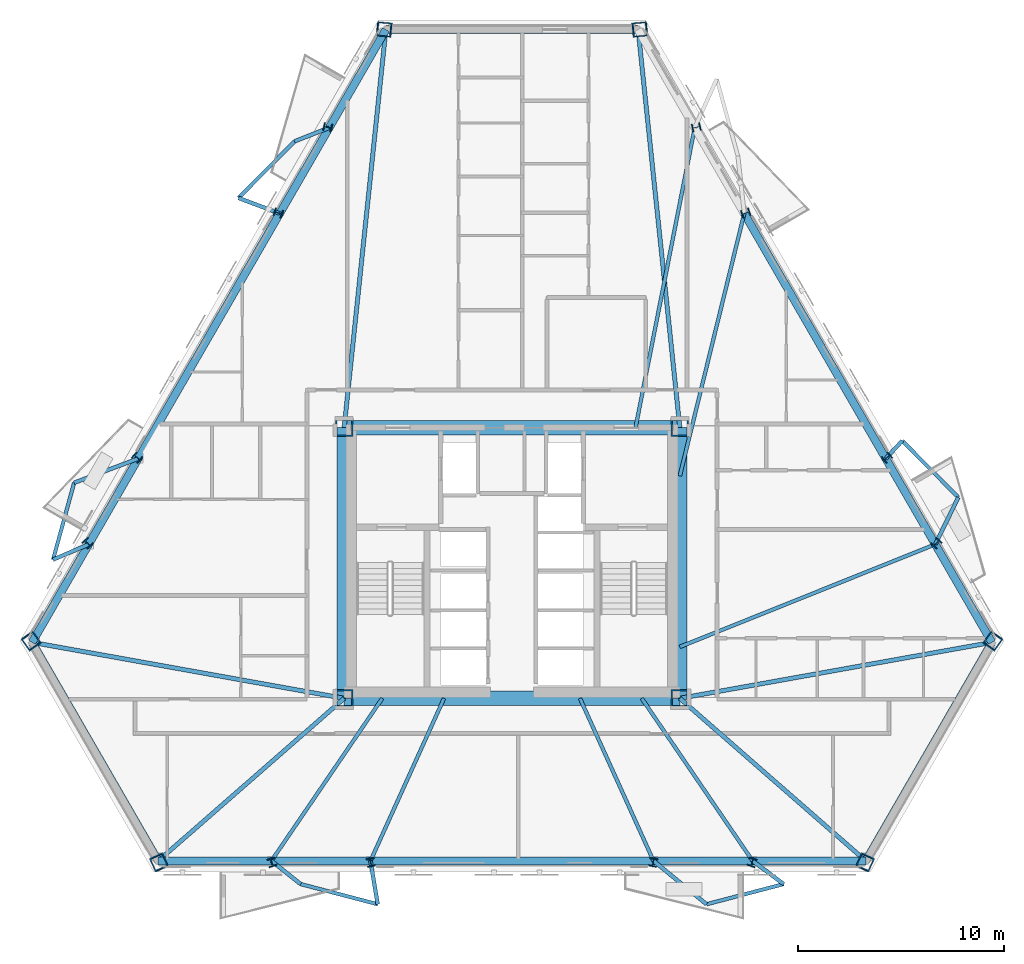
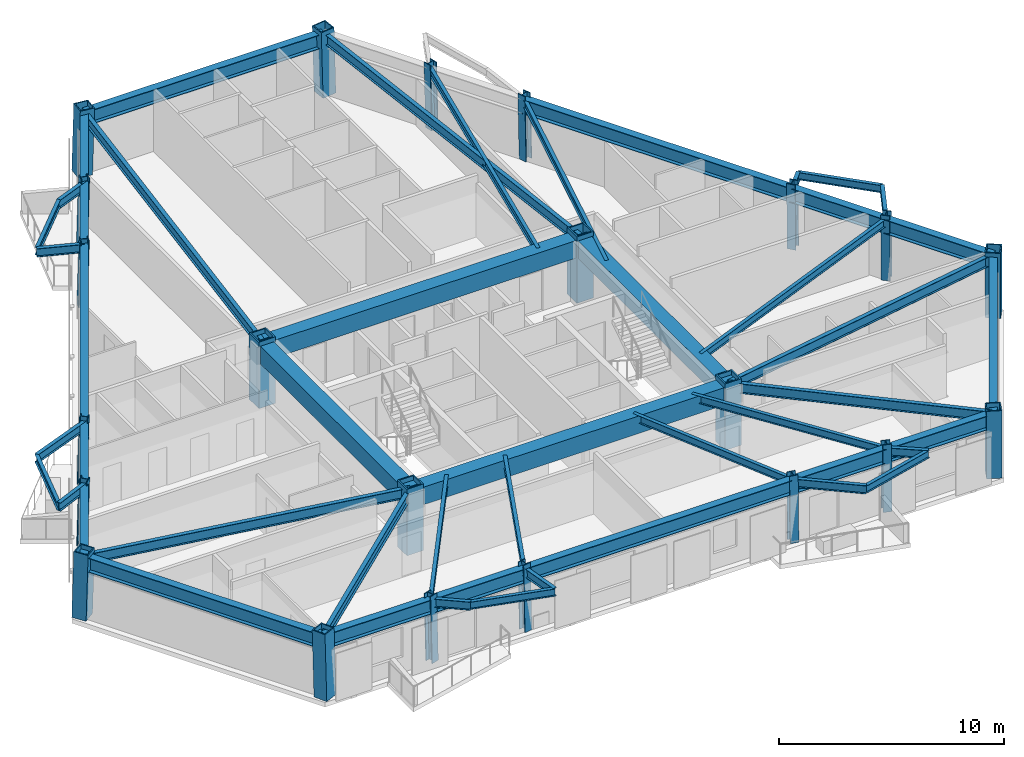
# One storey, part 1 of 11: 48 beams, 22 columns.
"""IFC4 building model written with IfcOpenShell, lengths in metres."""

from ifc_helpers import new_model, si_unit, direction, frame, origin, origin_2d, place, context, subcontext, project, spatial, rectangle, hollow_rectangle, i_section, extrude, material, material_profile, profile_set, type_object, element, save


model = new_model("IFC4")

# Units and contexts
model_context = context("Model", 3, precision=1e-05, world=origin(), true_north=direction((0.0, 1.0)))
body_context = subcontext(model_context, "Body", "Model", "MODEL_VIEW")
ifc_project = project(units=[si_unit("LENGTHUNIT", "METRE"), si_unit("AREAUNIT", "SQUARE_METRE"), si_unit("VOLUMEUNIT", "CUBIC_METRE"), si_unit("PLANEANGLEUNIT", "RADIAN"), si_unit("MASSUNIT", "GRAM", prefix="KILO")], contexts=[model_context])

# Site, building, storey
site_placement = place(None, origin())
site = spatial("IfcSite", under=ifc_project, at=site_placement, CompositionType="ELEMENT")
building_placement = place(site_placement, origin())
building = spatial("IfcBuilding", under=site, at=building_placement, Name="Oramaril Tower", CompositionType="ELEMENT")
storey_placement = place(building_placement, frame((0.0, 0.0, 89.699951171875)))
storey = spatial("IfcBuildingStorey", under=building, at=storey_placement, Name="L23", CompositionType="ELEMENT", Elevation=89.699951171875)

# Columns
ifc_material_1 = material(Name="Steel ASTM A572 Gr 50", Category="steel")
ifc_material_profile_1 = material_profile(ifc_material_1, hollow_rectangle(XDim=0.85009765625, YDim=0.85009765625, WallThickness=0.070068359375, at=origin_2d()), Name="BOX850X850X70")
ifc_profile_set_1 = profile_set([ifc_material_profile_1], Name="Steel ASTM A572 Gr 50")
column_type_1 = type_object("IfcColumnType", Name="CT-CC3", PredefinedType="COLUMN", material=ifc_profile_set_1)
for number, where, z_axis, x_axis, name in (
    (1, (29.35009765625, 11.0, 0.0), (0.0, 0.0, 1.0), (1.0, 0.0, 0.0), "L23 Core Column CC-1"),
    (2, (45.64990234375, 11.0, 0.0), (0.0, 0.0, 1.0), (1.0, 0.0, 0.0), "L23 Core Column CC-2"),
    (3, (45.64990234375, 24.14990234375, 0.0), (0.0, 0.0, 1.0), (1.0, 0.0, 0.0), "L23 Core Column CC-3"),
    (4, (29.35009765625, 24.14990234375, 0.0), (0.0, 0.0, 1.0), (1.0, 0.0, 0.0), "L23 Core Column CC-4"),
):
    element("IfcColumn", number, at=place(storey_placement, frame(where, z_axis=z_axis, x_axis=x_axis)), inside=storey, type_object=column_type_1, Name=name, PredefinedType="COLUMN", context=body_context, shape_type="SweptSolid", body=[
        extrude(hollow_rectangle(XDim=0.85009765625, YDim=0.85009765625, WallThickness=0.070068359375, at=origin_2d()), origin(), (0.0, 0.0, 1.0), 3.60009765625),
    ])
ifc_material_2 = material(Name="Steel ASTM A572 Gr 50", Category="steel")
ifc_material_profile_2 = material_profile(ifc_material_2, hollow_rectangle(XDim=0.699951171875, YDim=0.699951171875, WallThickness=0.054931640625, at=origin_2d()), Name="BOX700X700X55")
ifc_profile_set_2 = profile_set([ifc_material_profile_2], Name="Steel ASTM A572 Gr 50")
column_type_2 = type_object("IfcColumnType", Name="CT-TC4", PredefinedType="COLUMN", material=ifc_profile_set_2)
for number, where, z_axis, x_axis, name in (
    (5, (14.14013671875, 13.79833984375, 0.004638671875), (0.015903742687, -0.022292425646, 0.999624989047), (0.814068729903, 0.580768545114, 0.0), "L23 Tube Column TC-01"),
    (6, (20.36279296875, 3.0205078125, 0.004638671875), (-0.011350100721, 0.024943035717, 0.999624439569), (-0.910196530925, -0.414176623064, 0.0), "L23 Tube Column TC-02"),
    (7, (54.63720703125, 3.0205078125, 0.004638671875), (0.011350100721, 0.024943035717, 0.999624439569), (-0.910196530925, 0.414176623064, 0.0), "L23 Tube Column TC-03"),
    (8, (60.85986328125, 13.79833984375, 0.004638671875), (-0.015903742687, -0.022292425646, 0.999624989047), (0.814068729903, -0.580768545114, 0.0), "L23 Tube Column TC-04"),
):
    element("IfcColumn", number, at=place(storey_placement, frame(where, z_axis=z_axis, x_axis=x_axis)), inside=storey, type_object=column_type_2, Name=name, PredefinedType="COLUMN", context=body_context, shape_type="SweptSolid", body=[
        extrude(hollow_rectangle(XDim=0.699951171875, YDim=0.699951171875, WallThickness=0.054931640625, at=origin_2d()), origin(), (0.0, 0.0, 1.0), 3.59228515625),
    ])
for number, where, z_axis, x_axis, name in (
    (9, (43.722412109375, 43.48095703125, 0.004638671875), (-0.027185941193, -0.002582664413, 0.99962705768), (0.094574192526, -0.995517816068, 0.0), "L23 Tube Column TC-05"),
    (10, (31.277587890625, 43.48095703125, 0.004638671875), (0.027185941193, -0.002582664413, 0.99962705768), (0.094574192526, 0.995517816068, 0.0), "L23 Tube Column TC-06"),
):
    element("IfcColumn", number, at=place(storey_placement, frame(where, z_axis=z_axis, x_axis=x_axis)), inside=storey, type_object=column_type_2, Name=name, PredefinedType="COLUMN", context=body_context, shape_type="SweptSolid", body=[
        extrude(hollow_rectangle(XDim=0.699951171875, YDim=0.699951171875, WallThickness=0.054931640625, at=origin_2d()), origin(), (0.0, 0.0, 1.0), 3.592041015625),
    ])
ifc_material_3 = material(Name="Steel ASTM A572 Gr 50", Category="steel")
ifc_material_profile_3 = material_profile(ifc_material_3, i_section(OverallWidth=0.404052734375, OverallDepth=0.406005859375, WebThickness=0.027099609375, FlangeThickness=0.043701171875, at=origin_2d()), Name="W14X233")
ifc_profile_set_3 = profile_set([ifc_material_profile_3], Name="Steel ASTM A572 Gr 50")
column_type_3 = type_object("IfcColumnType", Name="CT-TF3", PredefinedType="COLUMN", material=ifc_profile_set_3)
for number, where, z_axis, x_axis, name in (
    (11, (25.8466796875, 3.0205078125, 0.004638671875), (-0.007748239467, 0.024943893723, 0.999658825275), (-0.95498790355, -0.296644743882, 0.0), "L23 Tube Column TC-07"),
    (12, (30.64501953125, 3.0205078125, 0.004638671875), (-0.004485912372, 0.024944391526, 0.999678775368), (-0.984211365845, -0.176997139362, 0.0), "L23 Tube Column TC-08"),
    (13, (44.35498046875, 3.0205078125, 0.004638671875), (0.004485912372, 0.024944391526, 0.999678775368), (-0.984211365845, 0.176997139362, 0.0), "L23 Tube Column TC-09"),
    (14, (49.1533203125, 3.0205078125, 0.004638671875), (0.007748239467, 0.024943893723, 0.999658825275), (-0.95498790355, 0.296644743882, 0.0), "L23 Tube Column TC-10"),
    (15, (58.117919921875, 18.547607421875, 0.004638671875), (-0.017739391998, -0.0191666994, 0.999658917634), (0.733904813668, -0.679252327544, 0.0), "L23 Tube Column TC-11"),
    (16, (55.718505859375, 22.703125, 0.004638671875), (-0.019235087383, -0.016380410103, 0.999680795843), (0.648350968281, -0.761341593458, 0.0), "L23 Tube Column TC-12"),
    (17, (48.86376953125, 34.576171875, 0.004638671875), (-0.023856909685, -0.008496050458, 0.999679281063), (0.335486159291, -0.94204513529, 0.0), "L23 Tube Column TC-13"),
    (18, (46.464599609375, 38.731689453125, 0.004638671875), (-0.025419707024, -0.005709239011, 0.999660563934), (0.219139714241, -0.975693489597, 0.0), "L23 Tube Column TC-14"),
    (19, (28.535400390625, 38.731689453125, 0.004638671875), (0.025419707024, -0.005709239011, 0.999660563934), (0.219139714241, 0.975693489597, 0.0), "L23 Tube Column TC-15"),
    (20, (26.13623046875, 34.576171875, 0.004638671875), (0.023856909685, -0.008496050458, 0.999679281063), (0.335486159291, 0.94204513529, 0.0), "L23 Tube Column TC-16"),
    (21, (19.281494140625, 22.703125, 0.004638671875), (0.019235087383, -0.016380410103, 0.999680795843), (0.648350968281, 0.761341593458, 0.0), "L23 Tube Column TC-17"),
    (22, (16.882080078125, 18.547607421875, 0.004638671875), (0.017739391998, -0.0191666994, 0.999658917634), (0.733904813668, 0.679252327544, 0.0), "L23 Tube Column TC-18"),
):
    element("IfcColumn", number, at=place(storey_placement, frame(where, z_axis=z_axis, x_axis=x_axis)), inside=storey, type_object=column_type_3, Name=name, PredefinedType="COLUMN", context=body_context, shape_type="SweptSolid", body=[
        extrude(i_section(OverallWidth=0.404052734375, OverallDepth=0.406005859375, WebThickness=0.027099609375, FlangeThickness=0.043701171875, at=origin_2d()), origin(), (0.0, 0.0, 1.0), 3.592041015625),
    ])

# Beams
ifc_material_4 = material(Name="Steel ASTM A572 Gr 50", Category="steel")
ifc_material_profile_4 = material_profile(ifc_material_4, i_section(OverallWidth=0.19091796875, OverallDepth=0.45703125, WebThickness=0.009033203125, FlangeThickness=0.014404296875, at=origin_2d()), Name="W18X50")
ifc_profile_set_4 = profile_set([ifc_material_profile_4], Name="Steel ASTM A572 Gr 50")
beam_type_1 = type_object("IfcBeamType", Name="BT-BB1", PredefinedType="BEAM", material=ifc_profile_set_4)
beam_1_placement = place(storey_placement, frame((25.81884765625, 3.110107421875, 3.131591796875), z_axis=(0.782012301234, -0.623262994826, 0.0), x_axis=(0.623262994826, 0.782012301234, 0.0)))
element("IfcBeam", 23, at=beam_1_placement, inside=storey, type_object=beam_type_1, Name="L23 Balcony Column-Framed Cantilever 01.1", PredefinedType="BEAM", context=body_context, shape_type="SweptSolid", body=[
    extrude(i_section(OverallWidth=0.19091796875, OverallDepth=0.45703125, WebThickness=0.009033203125, FlangeThickness=0.014404296875, at=origin_2d()), origin(), (0.0, 0.0, 1.0), 1.81005859375),
])
beam_2_placement = place(storey_placement, frame((30.62890625, 3.110107421875, 3.131591796875), z_axis=(0.163491096982, -0.986544809529, 0.0), x_axis=(0.986544809529, 0.163491096982, 0.0)))
element("IfcBeam", 24, at=beam_2_placement, inside=storey, type_object=beam_type_1, Name="L23 Balcony Column-Framed Cantilever 01.2", PredefinedType="BEAM", context=body_context, shape_type="SweptSolid", body=[
    extrude(i_section(OverallWidth=0.19091796875, OverallDepth=0.45703125, WebThickness=0.009033203125, FlangeThickness=0.014404296875, at=origin_2d()), origin(), (0.0, 0.0, 1.0), 2.136962890625),
])
beam_3_placement = place(storey_placement, frame((44.37109375, 3.110107421875, 3.131591796875), z_axis=(0.773842904092, -0.633377580742, 0.0), x_axis=(0.633377580742, 0.773842904092, 0.0)))
element("IfcBeam", 25, at=beam_3_placement, inside=storey, type_object=beam_type_1, Name="L23 Balcony Column-Framed Cantilever 02.1", PredefinedType="BEAM", context=body_context, shape_type="SweptSolid", body=[
    extrude(i_section(OverallWidth=0.19091796875, OverallDepth=0.45703125, WebThickness=0.009033203125, FlangeThickness=0.014404296875, at=origin_2d()), origin(), (0.0, 0.0, 1.0), 3.328369140625),
])
beam_4_placement = place(storey_placement, frame((49.18115234375, 3.110107421875, 3.131591796875), z_axis=(0.801009357604, -0.598651826215, 0.0), x_axis=(0.598651826215, 0.801009357604, 0.0)))
element("IfcBeam", 26, at=beam_4_placement, inside=storey, type_object=beam_type_1, Name="L23 Balcony Column-Framed Cantilever 02.2", PredefinedType="BEAM", context=body_context, shape_type="SweptSolid", body=[
    extrude(i_section(OverallWidth=0.19091796875, OverallDepth=0.45703125, WebThickness=0.009033203125, FlangeThickness=0.014404296875, at=origin_2d()), origin(), (0.0, 0.0, 1.0), 1.884521484375),
])
beam_5_placement = place(storey_placement, frame((58.05419921875, 18.478759765625, 3.131591796875), z_axis=(0.440277298029, 0.897861849529, 0.0), x_axis=(-0.897861849529, 0.440277298029, 0.0)))
element("IfcBeam", 27, at=beam_5_placement, inside=storey, type_object=beam_type_1, Name="L23 Balcony Column-Framed Cantilever 03.1", PredefinedType="BEAM", context=body_context, shape_type="SweptSolid", body=[
    extrude(i_section(OverallWidth=0.19091796875, OverallDepth=0.45703125, WebThickness=0.009033203125, FlangeThickness=0.014404296875, at=origin_2d()), origin(), (0.0, 0.0, 1.0), 2.5390625),
])
beam_6_placement = place(storey_placement, frame((55.6494140625, 22.644287109375, 3.131591796875), z_axis=(0.679181243416, 0.733970597907, 0.0), x_axis=(-0.733970597907, 0.679181243416, 0.0)))
element("IfcBeam", 28, at=beam_6_placement, inside=storey, type_object=beam_type_1, Name="L23 Balcony Column-Framed Cantilever 03.2", PredefinedType="BEAM", context=body_context, shape_type="SweptSolid", body=[
    extrude(i_section(OverallWidth=0.19091796875, OverallDepth=0.45703125, WebThickness=0.009033203125, FlangeThickness=0.014404296875, at=origin_2d()), origin(), (0.0, 0.0, 1.0), 1.180908203125),
])
beam_7_placement = place(storey_placement, frame((28.626708984375, 38.711181640625, 3.131591796875), z_axis=(-0.930738376503, -0.365685759232, 0.0), x_axis=(0.365685759232, -0.930738376503, 0.0)))
element("IfcBeam", 29, at=beam_7_placement, inside=storey, type_object=beam_type_1, Name="L23 Balcony Column-Framed Cantilever 05.1", PredefinedType="BEAM", context=body_context, shape_type="SweptSolid", body=[
    extrude(i_section(OverallWidth=0.19091796875, OverallDepth=0.45703125, WebThickness=0.009033203125, FlangeThickness=0.014404296875, at=origin_2d()), origin(), (0.0, 0.0, 1.0), 1.809814453125),
])
beam_8_placement = place(storey_placement, frame((26.221923828125, 34.545654296875, 3.131591796875), z_axis=(-0.936169442968, 0.351549106177, 0.0), x_axis=(-0.351549106177, -0.936169442968, 0.0)))
element("IfcBeam", 30, at=beam_8_placement, inside=storey, type_object=beam_type_1, Name="L23 Balcony Column-Framed Cantilever 05.2", PredefinedType="BEAM", context=body_context, shape_type="SweptSolid", body=[
    extrude(i_section(OverallWidth=0.19091796875, OverallDepth=0.45703125, WebThickness=0.009033203125, FlangeThickness=0.014404296875, at=origin_2d()), origin(), (0.0, 0.0, 1.0), 2.136962890625),
])
beam_9_placement = place(storey_placement, frame((19.3505859375, 22.644287109375, 3.131591796875), z_axis=(-0.935458080776, -0.35343765944, 0.0), x_axis=(0.35343765944, -0.935458080776, 0.0)))
element("IfcBeam", 31, at=beam_9_placement, inside=storey, type_object=beam_type_1, Name="L23 Balcony Column-Framed Cantilever 06.1", PredefinedType="BEAM", context=body_context, shape_type="SweptSolid", body=[
    extrude(i_section(OverallWidth=0.19091796875, OverallDepth=0.45703125, WebThickness=0.009033203125, FlangeThickness=0.014404296875, at=origin_2d()), origin(), (0.0, 0.0, 1.0), 3.328125),
])
beam_10_placement = place(storey_placement, frame((16.94580078125, 18.478759765625, 3.131591796875), z_axis=(-0.918950582077, -0.394372701515, 0.0), x_axis=(0.394372701515, -0.918950582077, 0.0)))
element("IfcBeam", 32, at=beam_10_placement, inside=storey, type_object=beam_type_1, Name="L23 Balcony Column-Framed Cantilever 06.2", PredefinedType="BEAM", context=body_context, shape_type="SweptSolid", body=[
    extrude(i_section(OverallWidth=0.19091796875, OverallDepth=0.45703125, WebThickness=0.009033203125, FlangeThickness=0.014404296875, at=origin_2d()), origin(), (0.0, 0.0, 1.0), 1.884521484375),
])
ifc_material_5 = material(Name="Concrete C50/60", Category="concrete")
ifc_material_profile_5 = material_profile(ifc_material_5, rectangle(XDim=0.699951171875, YDim=0.949951171875, at=origin_2d()), Name="CB700X950")
ifc_profile_set_5 = profile_set([ifc_material_profile_5], Name="Concrete C50/60")
beam_type_2 = type_object("IfcBeamType", Name="BT-CB1", PredefinedType="BEAM", material=ifc_profile_set_5)
beam_11_placement = place(storey_placement, frame((29.35009765625, 11.0, 2.885009765625), z_axis=(1.0, 0.0, 0.0), x_axis=(0.0, 1.0, 0.0)))
element("IfcBeam", 33, at=beam_11_placement, inside=storey, type_object=beam_type_2, Name="L23 Core Header Beam CB-1", PredefinedType="BEAM", context=body_context, shape_type="SweptSolid", body=[
    extrude(rectangle(XDim=0.699951171875, YDim=0.949951171875, at=origin_2d()), origin(), (0.0, 0.0, 1.0), 16.2998046875),
])
beam_12_placement = place(storey_placement, frame((45.64990234375, 11.0, 2.885009765625), z_axis=(0.0, 1.0, 0.0), x_axis=(-1.0, 0.0, 0.0)))
element("IfcBeam", 34, at=beam_12_placement, inside=storey, type_object=beam_type_2, Name="L23 Core Header Beam CB-2", PredefinedType="BEAM", context=body_context, shape_type="SweptSolid", body=[
    extrude(rectangle(XDim=0.699951171875, YDim=0.949951171875, at=origin_2d()), origin(), (0.0, 0.0, 1.0), 13.14990234375),
])
beam_13_placement = place(storey_placement, frame((45.64990234375, 24.14990234375, 2.885009765625), z_axis=(-1.0, 0.0, 0.0), x_axis=(0.0, -1.0, 0.0)))
element("IfcBeam", 35, at=beam_13_placement, inside=storey, type_object=beam_type_2, Name="L23 Core Header Beam CB-3", PredefinedType="BEAM", context=body_context, shape_type="SweptSolid", body=[
    extrude(rectangle(XDim=0.699951171875, YDim=0.949951171875, at=origin_2d()), origin(), (0.0, 0.0, 1.0), 16.2998046875),
])
beam_14_placement = place(storey_placement, frame((29.35009765625, 24.14990234375, 2.885009765625), z_axis=(0.0, -1.0, 0.0), x_axis=(1.0, 0.0, 0.0)))
element("IfcBeam", 36, at=beam_14_placement, inside=storey, type_object=beam_type_2, Name="L23 Core Header Beam CB-4", PredefinedType="BEAM", context=body_context, shape_type="SweptSolid", body=[
    extrude(rectangle(XDim=0.699951171875, YDim=0.949951171875, at=origin_2d()), origin(), (0.0, 0.0, 1.0), 13.14990234375),
])
ifc_material_6 = material(Name="Steel ASTM A572 Gr 50", Category="steel")
ifc_material_profile_6 = material_profile(ifc_material_6, i_section(OverallWidth=0.2099609375, OverallDepth=0.535888671875, WebThickness=0.010986328125, FlangeThickness=0.017333984375, at=origin_2d()), Name="W21X68")
ifc_profile_set_6 = profile_set([ifc_material_profile_6], Name="Steel ASTM A572 Gr 50")
beam_type_3 = type_object("IfcBeamType", Name="BT-FB2", PredefinedType="BEAM", material=ifc_profile_set_6)
beam_15_placement = place(storey_placement, frame((29.35009765625, 11.0, 3.092041015625), z_axis=(-0.984287889623, 0.176571091468, 0.0), x_axis=(-0.176571091468, -0.984287889623, 0.0)))
element("IfcBeam", 37, at=beam_15_placement, inside=storey, type_object=beam_type_3, Name="L23 Radial Primary Beam RB-01", PredefinedType="BEAM", context=body_context, shape_type="SweptSolid", body=[
    extrude(i_section(OverallWidth=0.2099609375, OverallDepth=0.535888671875, WebThickness=0.010986328125, FlangeThickness=0.017333984375, at=origin_2d()), origin(), (0.0, 0.0, 1.0), 15.394775390625),
])
for number, where, z_axis, x_axis, name in (
    (38, (29.35009765625, 11.0, 3.092041015625), (-0.752976413299, -0.658047506655, 0.0), (0.658047506655, -0.752976413299, 0.0), "L23 Radial Primary Beam RB-02"),
    (39, (45.64990234375, 11.0, 3.092041015625), (0.752976413299, -0.658047506655, 0.0), (0.658047506655, 0.752976413299, 0.0), "L23 Radial Primary Beam RB-03"),
):
    element("IfcBeam", number, at=place(storey_placement, frame(where, z_axis=z_axis, x_axis=x_axis)), inside=storey, type_object=beam_type_3, Name=name, PredefinedType="BEAM", context=body_context, shape_type="SweptSolid", body=[
        extrude(i_section(OverallWidth=0.2099609375, OverallDepth=0.535888671875, WebThickness=0.010986328125, FlangeThickness=0.017333984375, at=origin_2d()), origin(), (0.0, 0.0, 1.0), 11.98974609375),
    ])
beam_16_placement = place(storey_placement, frame((45.64990234375, 11.0, 3.092041015625), z_axis=(0.984287889623, 0.176571091468, 0.0), x_axis=(-0.176571091468, 0.984287889623, 0.0)))
element("IfcBeam", 40, at=beam_16_placement, inside=storey, type_object=beam_type_3, Name="L23 Radial Primary Beam RB-04", PredefinedType="BEAM", context=body_context, shape_type="SweptSolid", body=[
    extrude(i_section(OverallWidth=0.2099609375, OverallDepth=0.535888671875, WebThickness=0.010986328125, FlangeThickness=0.017333984375, at=origin_2d()), origin(), (0.0, 0.0, 1.0), 15.394775390625),
])
for number, where, z_axis, x_axis, name in (
    (41, (45.64990234375, 24.14990234375, 3.092041015625), (-0.104240602226, 0.994552108664, 0.0), (-0.994552108664, -0.104240602226, 0.0), "L23 Radial Primary Beam RB-05"),
    (42, (29.35009765625, 24.14990234375, 3.092041015625), (0.104240602226, 0.994552108664, 0.0), (-0.994552108664, 0.104240602226, 0.0), "L23 Radial Primary Beam RB-06"),
):
    element("IfcBeam", number, at=place(storey_placement, frame(where, z_axis=z_axis, x_axis=x_axis)), inside=storey, type_object=beam_type_3, Name=name, PredefinedType="BEAM", context=body_context, shape_type="SweptSolid", body=[
        extrude(i_section(OverallWidth=0.2099609375, OverallDepth=0.535888671875, WebThickness=0.010986328125, FlangeThickness=0.017333984375, at=origin_2d()), origin(), (0.0, 0.0, 1.0), 19.427734375),
    ])
ifc_material_7 = material(Name="Steel ASTM A572 Gr 50", Category="steel")
ifc_material_profile_7 = material_profile(ifc_material_7, i_section(OverallWidth=0.177978515625, OverallDepth=0.404052734375, WebThickness=0.007568359375, FlangeThickness=0.010986328125, at=origin_2d()), Name="W16X36")
ifc_profile_set_7 = profile_set([ifc_material_profile_7], Name="Steel ASTM A572 Gr 50")
beam_type_4 = type_object("IfcBeamType", Name="BT-SB1", PredefinedType="BEAM", material=ifc_profile_set_7)
beam_17_placement = place(storey_placement, frame((31.199951171875, 11.0, 3.157958984375), z_axis=(-0.563453424927, -0.82614783056, 0.0), x_axis=(0.82614783056, -0.563453424927, 0.0)))
element("IfcBeam", 43, at=beam_17_placement, inside=storey, type_object=beam_type_4, Name="L23 Secondary Floor Beam SB-01", PredefinedType="BEAM", context=body_context, shape_type="SweptSolid", body=[
    extrude(i_section(OverallWidth=0.177978515625, OverallDepth=0.404052734375, WebThickness=0.007568359375, FlangeThickness=0.010986328125, at=origin_2d()), origin(), (0.0, 0.0, 1.0), 9.55029296875),
])
for number, where, z_axis, x_axis, name in (
    (44, (34.199951171875, 11.0, 3.157958984375), (-0.412341143884, -0.911029517118, 0.0), (0.911029517118, -0.412341143884, 0.0), "L23 Secondary Floor Beam SB-02"),
    (45, (40.800048828125, 11.0, 3.157958984375), (0.412341143884, -0.911029517118, 0.0), (0.911029517118, 0.412341143884, 0.0), "L23 Secondary Floor Beam SB-03"),
):
    element("IfcBeam", number, at=place(storey_placement, frame(where, z_axis=z_axis, x_axis=x_axis)), inside=storey, type_object=beam_type_4, Name=name, PredefinedType="BEAM", context=body_context, shape_type="SweptSolid", body=[
        extrude(i_section(OverallWidth=0.177978515625, OverallDepth=0.404052734375, WebThickness=0.007568359375, FlangeThickness=0.010986328125, at=origin_2d()), origin(), (0.0, 0.0, 1.0), 8.660400390625),
    ])
beam_18_placement = place(storey_placement, frame((43.800048828125, 11.0, 3.157958984375), z_axis=(0.563453424927, -0.82614783056, 0.0), x_axis=(0.82614783056, 0.563453424927, 0.0)))
element("IfcBeam", 46, at=beam_18_placement, inside=storey, type_object=beam_type_4, Name="L23 Secondary Floor Beam SB-04", PredefinedType="BEAM", context=body_context, shape_type="SweptSolid", body=[
    extrude(i_section(OverallWidth=0.177978515625, OverallDepth=0.404052734375, WebThickness=0.007568359375, FlangeThickness=0.010986328125, at=origin_2d()), origin(), (0.0, 0.0, 1.0), 9.55029296875),
])
beam_19_placement = place(storey_placement, frame((45.64990234375, 13.5, 3.157958984375), z_axis=(0.928036407311, 0.372489498785, 0.0), x_axis=(-0.372489498785, 0.928036407311, 0.0)))
element("IfcBeam", 47, at=beam_19_placement, inside=storey, type_object=beam_type_4, Name="L23 Secondary Floor Beam SB-05", PredefinedType="BEAM", context=body_context, shape_type="SweptSolid", body=[
    extrude(i_section(OverallWidth=0.177978515625, OverallDepth=0.404052734375, WebThickness=0.007568359375, FlangeThickness=0.010986328125, at=origin_2d()), origin(), (0.0, 0.0, 1.0), 13.3662109375),
])
beam_20_placement = place(storey_placement, frame((45.64990234375, 21.800048828125, 3.157958984375), z_axis=(0.238357598213, 0.97117745823, 0.0), x_axis=(-0.97117745823, 0.238357598213, 0.0)))
element("IfcBeam", 48, at=beam_20_placement, inside=storey, type_object=beam_type_4, Name="L23 Secondary Floor Beam SB-06", PredefinedType="BEAM", context=body_context, shape_type="SweptSolid", body=[
    extrude(i_section(OverallWidth=0.177978515625, OverallDepth=0.404052734375, WebThickness=0.007568359375, FlangeThickness=0.010986328125, at=origin_2d()), origin(), (0.0, 0.0, 1.0), 13.123779296875),
])
beam_21_placement = place(storey_placement, frame((43.5, 24.14990234375, 3.157958984375), z_axis=(0.193591158923, 0.981082291751, 0.0), x_axis=(-0.981082291751, 0.193591158923, 0.0)))
element("IfcBeam", 49, at=beam_21_placement, inside=storey, type_object=beam_type_4, Name="L23 Secondary Floor Beam SB-07", PredefinedType="BEAM", context=body_context, shape_type="SweptSolid", body=[
    extrude(i_section(OverallWidth=0.177978515625, OverallDepth=0.404052734375, WebThickness=0.007568359375, FlangeThickness=0.010986328125, at=origin_2d()), origin(), (0.0, 0.0, 1.0), 14.842041015625),
])
for number, where, z_axis, x_axis, name in (
    (50, (27.234375, 1.98193359375, 3.157958984375), (0.967407922874, -0.253223045479, 0.0), (0.253223045479, 0.967407922874, 0.0), "L23 Balcony Edge Tie Beam 01"),
    (51, (46.94677734375, 1.001953125, 3.157958984375), (0.967407922874, 0.253223045479, 0.0), (-0.253223045479, 0.967407922874, 0.0), "L23 Balcony Edge Tie Beam 02"),
    (52, (59.172119140625, 20.758544921875, 3.157958984375), (-0.702994511648, 0.71119527318, 0.0), (-0.71119527318, -0.702994511648, 0.0), "L23 Balcony Edge Tie Beam 03"),
    (53, (26.942138671875, 38.04931640625, 3.157958984375), (-0.702994511648, -0.71119527318, 0.0), (0.71119527318, -0.702994511648, 0.0), "L23 Balcony Edge Tie Beam 05"),
    (54, (16.2373046875, 21.468017578125, 3.157958984375), (-0.264382243015, -0.964417974521, 0.0), (0.964417974521, -0.264382243015, 0.0), "L23 Balcony Edge Tie Beam 06"),
):
    element("IfcBeam", number, at=place(storey_placement, frame(where, z_axis=z_axis, x_axis=x_axis)), inside=storey, type_object=beam_type_4, Name=name, PredefinedType="BEAM", context=body_context, shape_type="SweptSolid", body=[
        extrude(i_section(OverallWidth=0.177978515625, OverallDepth=0.404052734375, WebThickness=0.007568359375, FlangeThickness=0.010986328125, at=origin_2d()), origin(), (0.0, 0.0, 1.0), 3.8701171875),
    ])
ifc_material_8 = material(Name="Steel ASTM A572 Gr 50", Category="steel")
ifc_material_profile_8 = material_profile(ifc_material_8, i_section(OverallWidth=0.381103515625, OverallDepth=0.77197265625, WebThickness=0.0166015625, FlangeThickness=0.027099609375, at=origin_2d()), Name="W30X173")
ifc_profile_set_8 = profile_set([ifc_material_profile_8], Name="Steel ASTM A572 Gr 50")
beam_type_5 = type_object("IfcBeamType", Name="BT-SP2", PredefinedType="SPANDREL", material=ifc_profile_set_8)
beam_22_placement = place(storey_placement, frame((14.197265625, 13.71826171875, 2.97412109375), z_axis=(0.500008273126, -0.86602062724, 0.0), x_axis=(0.86602062724, 0.500008273126, 0.0)))
element("IfcBeam", 55, at=beam_22_placement, inside=storey, type_object=beam_type_5, Name="L23 Perimeter Spandrel 01", PredefinedType="SPANDREL", context=body_context, shape_type="SweptSolid", body=[
    extrude(i_section(OverallWidth=0.381103515625, OverallDepth=0.77197265625, WebThickness=0.0166015625, FlangeThickness=0.027099609375, at=origin_2d()), origin(), (0.0, 0.0, 1.0), 12.249267578125),
])
beam_23_placement = place(storey_placement, frame((20.322021484375, 3.110107421875, 2.97412109375), z_axis=(1.0, 0.0, 0.0), x_axis=(0.0, 1.0, 0.0)))
element("IfcBeam", 56, at=beam_23_placement, inside=storey, type_object=beam_type_5, Name="L23 Perimeter Spandrel 02", PredefinedType="SPANDREL", context=body_context, shape_type="SweptSolid", body=[
    extrude(i_section(OverallWidth=0.381103515625, OverallDepth=0.77197265625, WebThickness=0.0166015625, FlangeThickness=0.027099609375, at=origin_2d()), origin(), (0.0, 0.0, 1.0), 5.496826171875),
])
beam_24_placement = place(storey_placement, frame((25.81884765625, 3.110107421875, 2.97412109375), z_axis=(1.0, 0.0, 0.0), x_axis=(0.0, 1.0, 0.0)))
element("IfcBeam", 57, at=beam_24_placement, inside=storey, type_object=beam_type_5, Name="L23 Perimeter Spandrel 03", PredefinedType="SPANDREL", context=body_context, shape_type="SweptSolid", body=[
    extrude(i_section(OverallWidth=0.381103515625, OverallDepth=0.77197265625, WebThickness=0.0166015625, FlangeThickness=0.027099609375, at=origin_2d()), origin(), (0.0, 0.0, 1.0), 4.81005859375),
])
beam_25_placement = place(storey_placement, frame((30.62890625, 3.110107421875, 2.97412109375), z_axis=(1.0, 0.0, 0.0), x_axis=(0.0, 1.0, 0.0)))
element("IfcBeam", 58, at=beam_25_placement, inside=storey, type_object=beam_type_5, Name="L23 Perimeter Spandrel 04", PredefinedType="SPANDREL", context=body_context, shape_type="SweptSolid", body=[
    extrude(i_section(OverallWidth=0.381103515625, OverallDepth=0.77197265625, WebThickness=0.0166015625, FlangeThickness=0.027099609375, at=origin_2d()), origin(), (0.0, 0.0, 1.0), 13.7421875),
])
beam_26_placement = place(storey_placement, frame((44.37109375, 3.110107421875, 2.97412109375), z_axis=(1.0, 0.0, 0.0), x_axis=(0.0, 1.0, 0.0)))
element("IfcBeam", 59, at=beam_26_placement, inside=storey, type_object=beam_type_5, Name="L23 Perimeter Spandrel 05", PredefinedType="SPANDREL", context=body_context, shape_type="SweptSolid", body=[
    extrude(i_section(OverallWidth=0.381103515625, OverallDepth=0.77197265625, WebThickness=0.0166015625, FlangeThickness=0.027099609375, at=origin_2d()), origin(), (0.0, 0.0, 1.0), 4.81005859375),
])
beam_27_placement = place(storey_placement, frame((49.18115234375, 3.110107421875, 2.97412109375), z_axis=(1.0, 0.0, 0.0), x_axis=(0.0, 1.0, 0.0)))
element("IfcBeam", 60, at=beam_27_placement, inside=storey, type_object=beam_type_5, Name="L23 Perimeter Spandrel 06", PredefinedType="SPANDREL", context=body_context, shape_type="SweptSolid", body=[
    extrude(i_section(OverallWidth=0.381103515625, OverallDepth=0.77197265625, WebThickness=0.0166015625, FlangeThickness=0.027099609375, at=origin_2d()), origin(), (0.0, 0.0, 1.0), 5.496826171875),
])
beam_28_placement = place(storey_placement, frame((54.677978515625, 3.110107421875, 2.97412109375), z_axis=(0.500008273126, 0.86602062724, 0.0), x_axis=(-0.86602062724, 0.500008273126, 0.0)))
element("IfcBeam", 61, at=beam_28_placement, inside=storey, type_object=beam_type_5, Name="L23 Perimeter Spandrel 07", PredefinedType="SPANDREL", context=body_context, shape_type="SweptSolid", body=[
    extrude(i_section(OverallWidth=0.381103515625, OverallDepth=0.77197265625, WebThickness=0.0166015625, FlangeThickness=0.027099609375, at=origin_2d()), origin(), (0.0, 0.0, 1.0), 12.249267578125),
])
beam_29_placement = place(storey_placement, frame((60.802734375, 13.71826171875, 2.97412109375), z_axis=(-0.500008230962, 0.866020651584, 0.0), x_axis=(-0.866020651584, -0.500008230962, 0.0)))
element("IfcBeam", 62, at=beam_29_placement, inside=storey, type_object=beam_type_5, Name="L23 Perimeter Spandrel 08", PredefinedType="SPANDREL", context=body_context, shape_type="SweptSolid", body=[
    extrude(i_section(OverallWidth=0.381103515625, OverallDepth=0.77197265625, WebThickness=0.0166015625, FlangeThickness=0.027099609375, at=origin_2d()), origin(), (0.0, 0.0, 1.0), 5.4970703125),
])
beam_30_placement = place(storey_placement, frame((58.05419921875, 18.478759765625, 2.97412109375), z_axis=(-0.499971436909, 0.866041894065, 0.0), x_axis=(-0.866041894065, -0.499971436909, 0.0)))
element("IfcBeam", 63, at=beam_30_placement, inside=storey, type_object=beam_type_5, Name="L23 Perimeter Spandrel 09", PredefinedType="SPANDREL", context=body_context, shape_type="SweptSolid", body=[
    extrude(i_section(OverallWidth=0.381103515625, OverallDepth=0.77197265625, WebThickness=0.0166015625, FlangeThickness=0.027099609375, at=origin_2d()), origin(), (0.0, 0.0, 1.0), 4.809814453125),
])
beam_31_placement = place(storey_placement, frame((55.6494140625, 22.644287109375, 2.97412109375), z_axis=(-0.500004384615, 0.866022872311, 0.0), x_axis=(-0.866022872311, -0.500004384615, 0.0)))
element("IfcBeam", 64, at=beam_31_placement, inside=storey, type_object=beam_type_5, Name="L23 Perimeter Spandrel 10", PredefinedType="SPANDREL", context=body_context, shape_type="SweptSolid", body=[
    extrude(i_section(OverallWidth=0.381103515625, OverallDepth=0.77197265625, WebThickness=0.0166015625, FlangeThickness=0.027099609375, at=origin_2d()), origin(), (0.0, 0.0, 1.0), 13.74267578125),
])
beam_32_placement = place(storey_placement, frame((43.624755859375, 43.4716796875, 2.97412109375), z_axis=(-1.0, 0.0, 0.0), x_axis=(0.0, -1.0, 0.0)))
element("IfcBeam", 65, at=beam_32_placement, inside=storey, type_object=beam_type_5, Name="L23 Perimeter Spandrel 13", PredefinedType="SPANDREL", context=body_context, shape_type="SweptSolid", body=[
    extrude(i_section(OverallWidth=0.381103515625, OverallDepth=0.77197265625, WebThickness=0.0166015625, FlangeThickness=0.027099609375, at=origin_2d()), origin(), (0.0, 0.0, 1.0), 12.24951171875),
])
beam_33_placement = place(storey_placement, frame((31.375244140625, 43.4716796875, 2.97412109375), z_axis=(-0.500008230962, -0.866020651584, 0.0), x_axis=(0.866020651584, -0.500008230962, 0.0)))
element("IfcBeam", 66, at=beam_33_placement, inside=storey, type_object=beam_type_5, Name="L23 Perimeter Spandrel 14", PredefinedType="SPANDREL", context=body_context, shape_type="SweptSolid", body=[
    extrude(i_section(OverallWidth=0.381103515625, OverallDepth=0.77197265625, WebThickness=0.0166015625, FlangeThickness=0.027099609375, at=origin_2d()), origin(), (0.0, 0.0, 1.0), 5.4970703125),
])
beam_34_placement = place(storey_placement, frame((28.626708984375, 38.711181640625, 2.97412109375), z_axis=(-0.499971436909, -0.866041894065, 0.0), x_axis=(0.866041894065, -0.499971436909, 0.0)))
element("IfcBeam", 67, at=beam_34_placement, inside=storey, type_object=beam_type_5, Name="L23 Perimeter Spandrel 15", PredefinedType="SPANDREL", context=body_context, shape_type="SweptSolid", body=[
    extrude(i_section(OverallWidth=0.381103515625, OverallDepth=0.77197265625, WebThickness=0.0166015625, FlangeThickness=0.027099609375, at=origin_2d()), origin(), (0.0, 0.0, 1.0), 4.809814453125),
])
beam_35_placement = place(storey_placement, frame((26.221923828125, 34.545654296875, 2.97412109375), z_axis=(-0.500004384615, -0.866022872311, 0.0), x_axis=(0.866022872311, -0.500004384615, 0.0)))
element("IfcBeam", 68, at=beam_35_placement, inside=storey, type_object=beam_type_5, Name="L23 Perimeter Spandrel 16", PredefinedType="SPANDREL", context=body_context, shape_type="SweptSolid", body=[
    extrude(i_section(OverallWidth=0.381103515625, OverallDepth=0.77197265625, WebThickness=0.0166015625, FlangeThickness=0.027099609375, at=origin_2d()), origin(), (0.0, 0.0, 1.0), 13.74267578125),
])
beam_36_placement = place(storey_placement, frame((19.3505859375, 22.644287109375, 2.97412109375), z_axis=(-0.499971436909, -0.866041894065, 0.0), x_axis=(0.866041894065, -0.499971436909, 0.0)))
element("IfcBeam", 69, at=beam_36_placement, inside=storey, type_object=beam_type_5, Name="L23 Perimeter Spandrel 17", PredefinedType="SPANDREL", context=body_context, shape_type="SweptSolid", body=[
    extrude(i_section(OverallWidth=0.381103515625, OverallDepth=0.77197265625, WebThickness=0.0166015625, FlangeThickness=0.027099609375, at=origin_2d()), origin(), (0.0, 0.0, 1.0), 4.809814453125),
])
beam_37_placement = place(storey_placement, frame((16.94580078125, 18.478759765625, 2.97412109375), z_axis=(-0.500008230962, -0.866020651584, 0.0), x_axis=(0.866020651584, -0.500008230962, 0.0)))
element("IfcBeam", 70, at=beam_37_placement, inside=storey, type_object=beam_type_5, Name="L23 Perimeter Spandrel 18", PredefinedType="SPANDREL", context=body_context, shape_type="SweptSolid", body=[
    extrude(i_section(OverallWidth=0.381103515625, OverallDepth=0.77197265625, WebThickness=0.0166015625, FlangeThickness=0.027099609375, at=origin_2d()), origin(), (0.0, 0.0, 1.0), 5.4970703125),
])

save(model, "model.ifc")
